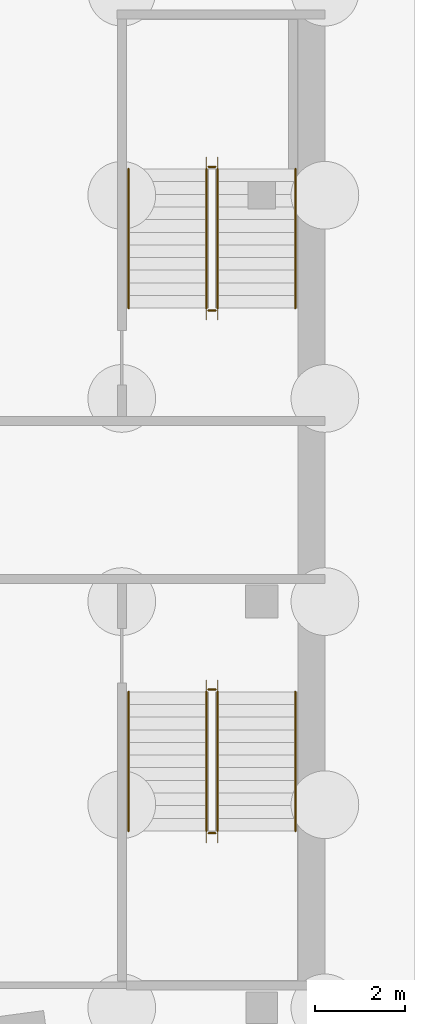
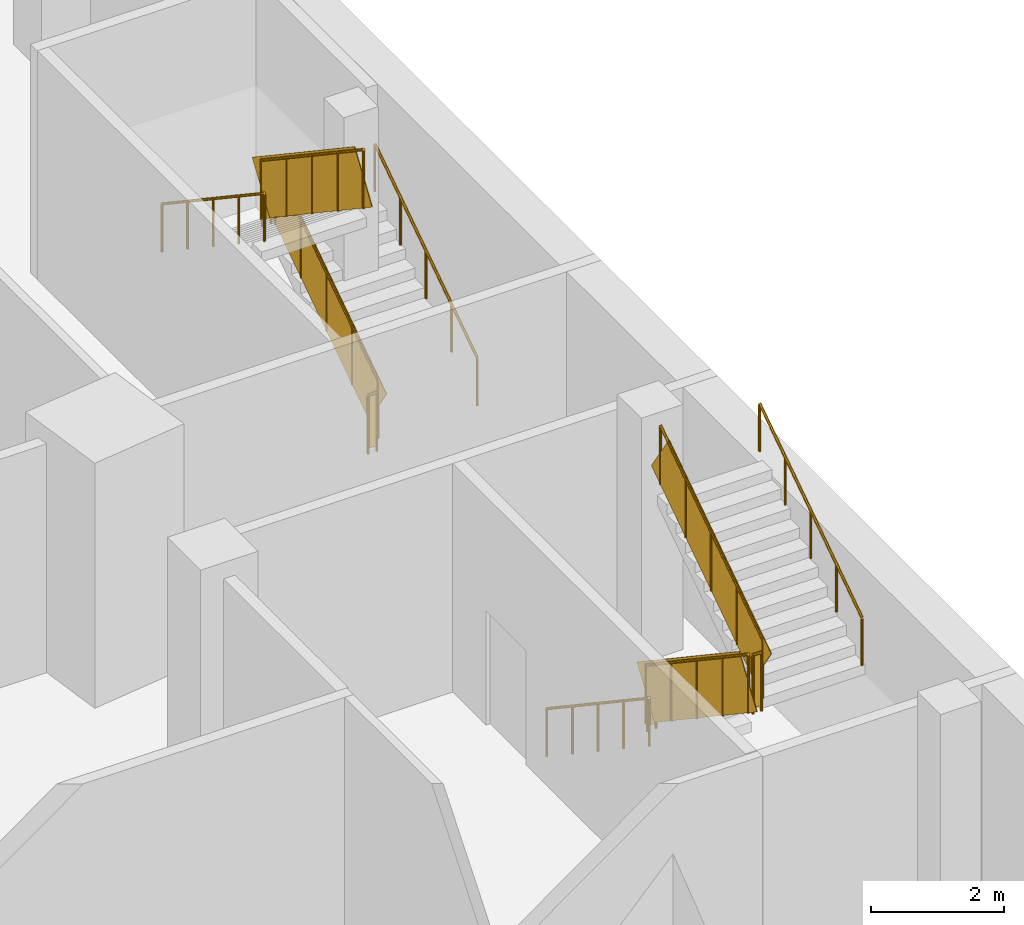
# One storey, part 9 of 12: 12 railings.
"""IFC4 building model written with IfcOpenShell, lengths in metres."""

from ifc_helpers import new_model, si_unit, direction, frame, origin, origin_2d, place, context, subcontext, project, spatial, rectangle, circle, extrude, material, type_object, element, save


model = new_model("IFC4")

# Units and contexts
model_context = context("Model", 3, precision=1e-05, world=origin(), true_north=direction((0.0, 1.0)))
body_context = subcontext(model_context, "Body", "Model", "MODEL_VIEW")
ifc_project = project(units=[si_unit("LENGTHUNIT", "METRE"), si_unit("AREAUNIT", "SQUARE_METRE"), si_unit("VOLUMEUNIT", "CUBIC_METRE"), si_unit("PLANEANGLEUNIT", "RADIAN"), si_unit("MASSUNIT", "GRAM", prefix="KILO")], contexts=[model_context])

# Site, building, storey
site_placement = place(None, origin())
site = spatial("IfcSite", under=ifc_project, at=site_placement, CompositionType="ELEMENT")
building_placement = place(site_placement, origin())
building = spatial("IfcBuilding", under=site, at=building_placement, Name="Dilmun Exchange Tower", CompositionType="ELEMENT")
storey_placement = place(building_placement, frame((0.0, 0.0, -9.0)))
storey = spatial("IfcBuildingStorey", under=building, at=storey_placement, Name="B2", CompositionType="ELEMENT", Elevation=-9.0)

# Railings
ifc_material_1 = material(Name="Guard 1100")
railing_type_1 = type_object("IfcRailingType", Name="Guard 1100", PredefinedType="GUARDRAIL", material=ifc_material_1)
railing_1_placement = place(storey_placement, frame((33.3740234375, -2.0, 0.1875)))
element("IfcRailing", 1, at=railing_1_placement, inside=storey, type_object=railing_type_1, Name="B2 PS3 stair guard 1", PredefinedType="GUARDRAIL", context=body_context, shape_type="SweptSolid", body=[
    extrude(circle(Radius=0.02392578125, at=origin_2d()), frame((0.0, 0.0, 1.076171875), z_axis=(0.0, -0.830913701846, 0.55640131208), x_axis=(1.0, 0.0, 0.0)), (0.0, 0.0, 1.0), 3.706787109375),
    extrude(rectangle(XDim=0.011962890625, YDim=0.951904296875, at=origin_2d()), frame((0.0, 0.0, 0.576171875), z_axis=(0.0, -0.830913701846, 0.55640131208), x_axis=(1.0, 0.0, 0.0)), (0.0, 0.0, 1.0), 3.706787109375),
    extrude(circle(Radius=0.02099609375, at=origin_2d()), origin(), (0.0, 0.0, 1.0), 1.052001953125),
    extrude(circle(Radius=0.02099609375, at=origin_2d()), frame((0.0, -0.77001953125, 0.515625)), (0.0, 0.0, 1.0), 1.052001953125),
    extrude(circle(Radius=0.02099609375, at=origin_2d()), frame((0.0, -1.5400390625, 1.03125)), (0.0, 0.0, 1.0), 1.052001953125),
    extrude(circle(Radius=0.02099609375, at=origin_2d()), frame((0.0, -2.31005859375, 1.546875)), (0.0, 0.0, 1.0), 1.052001953125),
    extrude(circle(Radius=0.02099609375, at=origin_2d()), frame((0.0, -3.080078125, 2.0625)), (0.0, 0.0, 1.0), 1.052001953125),
])
railing_2_placement = place(storey_placement, frame((33.424072265625, -5.1298828125, 2.25)))
element("IfcRailing", 2, at=railing_2_placement, inside=storey, type_object=railing_type_1, Name="B2 PS3 stair guard 2", PredefinedType="GUARDRAIL", context=body_context, shape_type="SweptSolid", body=[
    extrude(circle(Radius=0.02392578125, at=origin_2d()), frame((0.0, 0.0, 1.076171875), z_axis=(1.0, 0.0, 0.0), x_axis=(0.0, 1.0, 0.0)), (0.0, 0.0, 1.0), 0.14990234375),
    extrude(rectangle(XDim=0.011962890625, YDim=0.951904296875, at=origin_2d()), frame((0.0, 0.0, 0.576171875), z_axis=(1.0, 0.0, 0.0), x_axis=(0.0, 1.0, 0.0)), (0.0, 0.0, 1.0), 0.14990234375),
    extrude(circle(Radius=0.02099609375, at=origin_2d()), origin(), (0.0, 0.0, 1.0), 1.052001953125),
    extrude(circle(Radius=0.02099609375, at=origin_2d()), frame((0.14990234375, 0.0, 0.0)), (0.0, 0.0, 1.0), 1.052001953125),
])
railing_3_placement = place(storey_placement, frame((33.6240234375, -5.080078125, 2.4375)))
element("IfcRailing", 3, at=railing_3_placement, inside=storey, type_object=railing_type_1, Name="B2 PS3 stair guard 3", PredefinedType="GUARDRAIL", context=body_context, shape_type="SweptSolid", body=[
    extrude(circle(Radius=0.02392578125, at=origin_2d()), frame((0.0, 0.0, 1.076171875), z_axis=(0.0, 0.830913701846, 0.55640131208), x_axis=(-1.0, 0.0, 0.0)), (0.0, 0.0, 1.0), 3.706787109375),
    extrude(rectangle(XDim=0.011962890625, YDim=0.951904296875, at=origin_2d()), frame((0.0, 0.0, 0.576171875), z_axis=(0.0, 0.830913701846, 0.55640131208), x_axis=(-1.0, 0.0, 0.0)), (0.0, 0.0, 1.0), 3.706787109375),
    extrude(circle(Radius=0.02099609375, at=origin_2d()), origin(), (0.0, 0.0, 1.0), 1.052001953125),
    extrude(circle(Radius=0.02099609375, at=origin_2d()), frame((0.0, 0.77001953125, 0.515625)), (0.0, 0.0, 1.0), 1.052001953125),
    extrude(circle(Radius=0.02099609375, at=origin_2d()), frame((0.0, 1.5400390625, 1.03125)), (0.0, 0.0, 1.0), 1.052001953125),
    extrude(circle(Radius=0.02099609375, at=origin_2d()), frame((0.0, 2.31005859375, 1.546875)), (0.0, 0.0, 1.0), 1.052001953125),
    extrude(circle(Radius=0.02099609375, at=origin_2d()), frame((0.0, 3.080078125, 2.0625)), (0.0, 0.0, 1.0), 1.052001953125),
])
railing_4_placement = place(storey_placement, frame((33.424072265625, -1.949951171875, 0.0)))
element("IfcRailing", 4, at=railing_4_placement, inside=storey, type_object=railing_type_1, Name="B2 PS3 stair guard 4", PredefinedType="GUARDRAIL", context=body_context, shape_type="SweptSolid", body=[
    extrude(circle(Radius=0.02392578125, at=origin_2d()), frame((0.0, 0.0, 1.076171875), z_axis=(1.0, 0.0, 0.0), x_axis=(0.0, 1.0, 0.0)), (0.0, 0.0, 1.0), 0.14990234375),
    extrude(rectangle(XDim=0.011962890625, YDim=0.951904296875, at=origin_2d()), frame((0.0, 0.0, 0.576171875), z_axis=(1.0, 0.0, 0.0), x_axis=(0.0, 1.0, 0.0)), (0.0, 0.0, 1.0), 0.14990234375),
    extrude(circle(Radius=0.02099609375, at=origin_2d()), origin(), (0.0, 0.0, 1.0), 1.052001953125),
    extrude(circle(Radius=0.02099609375, at=origin_2d()), frame((0.14990234375, 0.0, 0.0)), (0.0, 0.0, 1.0), 1.052001953125),
])
railing_5_placement = place(storey_placement, frame((33.6240234375, 6.5, 0.1875)))
element("IfcRailing", 5, at=railing_5_placement, inside=storey, type_object=railing_type_1, Name="B2 PS4 stair guard 1", PredefinedType="GUARDRAIL", context=body_context, shape_type="SweptSolid", body=[
    extrude(circle(Radius=0.02392578125, at=origin_2d()), frame((0.0, 0.0, 1.076171875), z_axis=(0.0, 0.830913701846, 0.55640131208), x_axis=(-1.0, 0.0, 0.0)), (0.0, 0.0, 1.0), 3.706787109375),
    extrude(rectangle(XDim=0.011962890625, YDim=0.951904296875, at=origin_2d()), frame((0.0, 0.0, 0.576171875), z_axis=(0.0, 0.830913701846, 0.55640131208), x_axis=(-1.0, 0.0, 0.0)), (0.0, 0.0, 1.0), 3.706787109375),
    extrude(circle(Radius=0.02099609375, at=origin_2d()), origin(), (0.0, 0.0, 1.0), 1.052001953125),
    extrude(circle(Radius=0.02099609375, at=origin_2d()), frame((0.0, 0.77001953125, 0.515625)), (0.0, 0.0, 1.0), 1.052001953125),
    extrude(circle(Radius=0.02099609375, at=origin_2d()), frame((0.0, 1.5400390625, 1.03125)), (0.0, 0.0, 1.0), 1.052001953125),
    extrude(circle(Radius=0.02099609375, at=origin_2d()), frame((0.0, 2.31005859375, 1.546875)), (0.0, 0.0, 1.0), 1.052001953125),
    extrude(circle(Radius=0.02099609375, at=origin_2d()), frame((0.0, 3.080078125, 2.0625)), (0.0, 0.0, 1.0), 1.052001953125),
])
railing_6_placement = place(storey_placement, frame((33.573974609375, 9.6298828125, 2.25)))
element("IfcRailing", 6, at=railing_6_placement, inside=storey, type_object=railing_type_1, Name="B2 PS4 stair guard 2", PredefinedType="GUARDRAIL", context=body_context, shape_type="SweptSolid", body=[
    extrude(circle(Radius=0.02392578125, at=origin_2d()), frame((0.0, 0.0, 1.076171875), z_axis=(-1.0, 0.0, 0.0), x_axis=(0.0, -1.0, 0.0)), (0.0, 0.0, 1.0), 0.14990234375),
    extrude(rectangle(XDim=0.011962890625, YDim=0.951904296875, at=origin_2d()), frame((0.0, 0.0, 0.576171875), z_axis=(-1.0, 0.0, 0.0), x_axis=(0.0, -1.0, 0.0)), (0.0, 0.0, 1.0), 0.14990234375),
    extrude(circle(Radius=0.02099609375, at=origin_2d()), origin(), (0.0, 0.0, 1.0), 1.052001953125),
    extrude(circle(Radius=0.02099609375, at=origin_2d()), frame((-0.14990234375, 0.0, 0.0)), (0.0, 0.0, 1.0), 1.052001953125),
])
railing_7_placement = place(storey_placement, frame((33.3740234375, 9.580078125, 2.4375)))
element("IfcRailing", 7, at=railing_7_placement, inside=storey, type_object=railing_type_1, Name="B2 PS4 stair guard 3", PredefinedType="GUARDRAIL", context=body_context, shape_type="SweptSolid", body=[
    extrude(circle(Radius=0.02392578125, at=origin_2d()), frame((0.0, 0.0, 1.076171875), z_axis=(0.0, -0.830913701846, 0.55640131208), x_axis=(1.0, 0.0, 0.0)), (0.0, 0.0, 1.0), 3.706787109375),
    extrude(rectangle(XDim=0.011962890625, YDim=0.951904296875, at=origin_2d()), frame((0.0, 0.0, 0.576171875), z_axis=(0.0, -0.830913701846, 0.55640131208), x_axis=(1.0, 0.0, 0.0)), (0.0, 0.0, 1.0), 3.706787109375),
    extrude(circle(Radius=0.02099609375, at=origin_2d()), origin(), (0.0, 0.0, 1.0), 1.052001953125),
    extrude(circle(Radius=0.02099609375, at=origin_2d()), frame((0.0, -0.77001953125, 0.515625)), (0.0, 0.0, 1.0), 1.052001953125),
    extrude(circle(Radius=0.02099609375, at=origin_2d()), frame((0.0, -1.5400390625, 1.03125)), (0.0, 0.0, 1.0), 1.052001953125),
    extrude(circle(Radius=0.02099609375, at=origin_2d()), frame((0.0, -2.31005859375, 1.546875)), (0.0, 0.0, 1.0), 1.052001953125),
    extrude(circle(Radius=0.02099609375, at=origin_2d()), frame((0.0, -3.080078125, 2.0625)), (0.0, 0.0, 1.0), 1.052001953125),
])
railing_8_placement = place(storey_placement, frame((33.573974609375, 6.449951171875, 0.0)))
element("IfcRailing", 8, at=railing_8_placement, inside=storey, type_object=railing_type_1, Name="B2 PS4 stair guard 4", PredefinedType="GUARDRAIL", context=body_context, shape_type="SweptSolid", body=[
    extrude(circle(Radius=0.02392578125, at=origin_2d()), frame((0.0, 0.0, 1.076171875), z_axis=(-1.0, 0.0, 0.0), x_axis=(0.0, -1.0, 0.0)), (0.0, 0.0, 1.0), 0.14990234375),
    extrude(rectangle(XDim=0.011962890625, YDim=0.951904296875, at=origin_2d()), frame((0.0, 0.0, 0.576171875), z_axis=(-1.0, 0.0, 0.0), x_axis=(0.0, -1.0, 0.0)), (0.0, 0.0, 1.0), 0.14990234375),
    extrude(circle(Radius=0.02099609375, at=origin_2d()), origin(), (0.0, 0.0, 1.0), 1.052001953125),
    extrude(circle(Radius=0.02099609375, at=origin_2d()), frame((-0.14990234375, 0.0, 0.0)), (0.0, 0.0, 1.0), 1.052001953125),
])
ifc_material_2 = material(Name="Handrail 900")
railing_type_2 = type_object("IfcRailingType", Name="Handrail 900", PredefinedType="HANDRAIL", material=ifc_material_2)
railing_9_placement = place(storey_placement, frame((31.64990234375, -2.0, 0.1875)))
element("IfcRailing", 9, at=railing_9_placement, inside=storey, type_object=railing_type_2, Name="B2 PS3 stair handrail 1", PredefinedType="HANDRAIL", context=body_context, shape_type="SweptSolid", body=[
    extrude(circle(Radius=0.02392578125, at=origin_2d()), frame((0.0, 0.0, 0.8759765625), z_axis=(0.0, -0.830913701846, 0.55640131208), x_axis=(1.0, 0.0, 0.0)), (0.0, 0.0, 1.0), 3.706787109375),
    extrude(circle(Radius=0.02099609375, at=origin_2d()), origin(), (0.0, 0.0, 1.0), 0.851806640625),
    extrude(circle(Radius=0.02099609375, at=origin_2d()), frame((0.0, -0.77001953125, 0.515625)), (0.0, 0.0, 1.0), 0.851806640625),
    extrude(circle(Radius=0.02099609375, at=origin_2d()), frame((0.0, -1.5400390625, 1.03125)), (0.0, 0.0, 1.0), 0.851806640625),
    extrude(circle(Radius=0.02099609375, at=origin_2d()), frame((0.0, -2.31005859375, 1.546875)), (0.0, 0.0, 1.0), 0.851806640625),
    extrude(circle(Radius=0.02099609375, at=origin_2d()), frame((0.0, -3.080078125, 2.0625)), (0.0, 0.0, 1.0), 0.851806640625),
])
for number, where, name in (
    (10, (35.347900390625, -5.080078125, 2.4375), "B2 PS3 stair handrail 2"),
    (11, (35.347900390625, 6.5, 0.1875), "B2 PS4 stair handrail 1"),
):
    element("IfcRailing", number, at=place(storey_placement, frame(where)), inside=storey, type_object=railing_type_2, Name=name, PredefinedType="HANDRAIL", context=body_context, shape_type="SweptSolid", body=[
        extrude(circle(Radius=0.02392578125, at=origin_2d()), frame((0.0, 0.0, 0.8759765625), z_axis=(0.0, 0.830913701846, 0.55640131208), x_axis=(-1.0, 0.0, 0.0)), (0.0, 0.0, 1.0), 3.706787109375),
        extrude(circle(Radius=0.02099609375, at=origin_2d()), origin(), (0.0, 0.0, 1.0), 0.851806640625),
        extrude(circle(Radius=0.02099609375, at=origin_2d()), frame((0.0, 0.77001953125, 0.515625)), (0.0, 0.0, 1.0), 0.851806640625),
        extrude(circle(Radius=0.02099609375, at=origin_2d()), frame((0.0, 1.5400390625, 1.03125)), (0.0, 0.0, 1.0), 0.851806640625),
        extrude(circle(Radius=0.02099609375, at=origin_2d()), frame((0.0, 2.31005859375, 1.546875)), (0.0, 0.0, 1.0), 0.851806640625),
        extrude(circle(Radius=0.02099609375, at=origin_2d()), frame((0.0, 3.080078125, 2.0625)), (0.0, 0.0, 1.0), 0.851806640625),
    ])
railing_10_placement = place(storey_placement, frame((31.64990234375, 9.580078125, 2.4375)))
element("IfcRailing", 12, at=railing_10_placement, inside=storey, type_object=railing_type_2, Name="B2 PS4 stair handrail 2", PredefinedType="HANDRAIL", context=body_context, shape_type="SweptSolid", body=[
    extrude(circle(Radius=0.02392578125, at=origin_2d()), frame((0.0, 0.0, 0.8759765625), z_axis=(0.0, -0.830913701846, 0.55640131208), x_axis=(1.0, 0.0, 0.0)), (0.0, 0.0, 1.0), 3.706787109375),
    extrude(circle(Radius=0.02099609375, at=origin_2d()), origin(), (0.0, 0.0, 1.0), 0.851806640625),
    extrude(circle(Radius=0.02099609375, at=origin_2d()), frame((0.0, -0.77001953125, 0.515625)), (0.0, 0.0, 1.0), 0.851806640625),
    extrude(circle(Radius=0.02099609375, at=origin_2d()), frame((0.0, -1.5400390625, 1.03125)), (0.0, 0.0, 1.0), 0.851806640625),
    extrude(circle(Radius=0.02099609375, at=origin_2d()), frame((0.0, -2.31005859375, 1.546875)), (0.0, 0.0, 1.0), 0.851806640625),
    extrude(circle(Radius=0.02099609375, at=origin_2d()), frame((0.0, -3.080078125, 2.0625)), (0.0, 0.0, 1.0), 0.851806640625),
])

save(model, "model.ifc")
